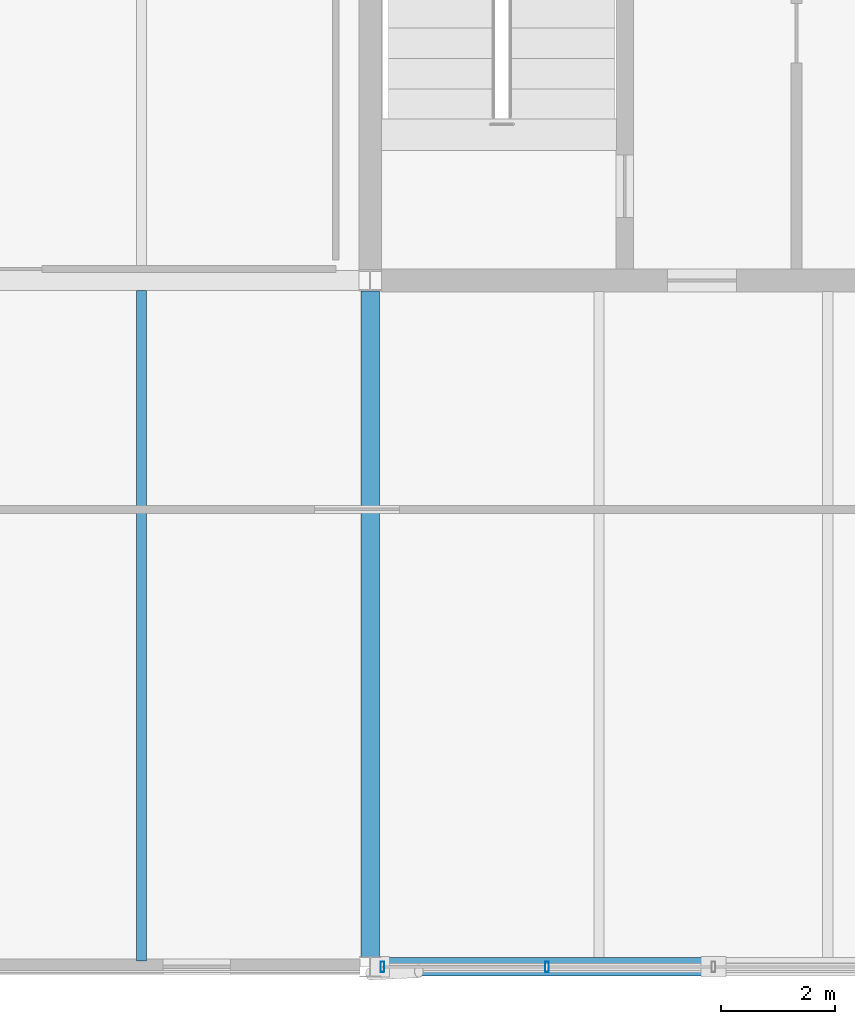
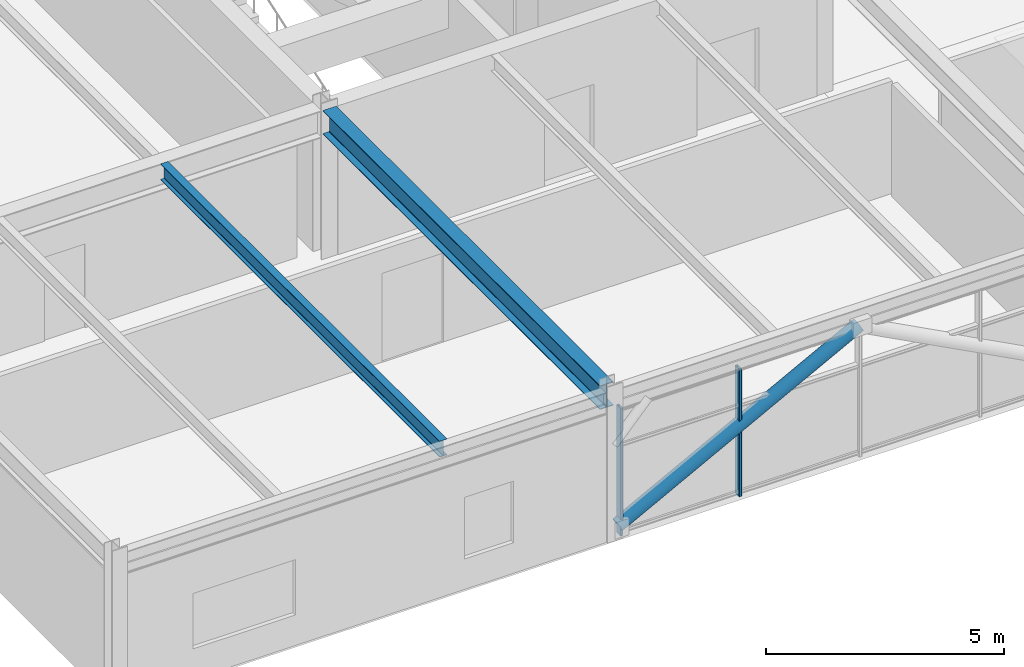
# One storey, part 5 of 40: 3 members, 2 beams, 1 element without a shape of its own.
"""IFC4 building model written with IfcOpenShell, lengths in metres."""

from ifc_helpers import new_model, si_unit, direction, frame, origin, origin_2d, place, context, subcontext, project, spatial, hollow_rectangle, hollow_circle, i_section, extrude, material, material_profile, profile_set, type_object, element, aggregate, save


model = new_model("IFC4")

# Units and contexts
model_context = context("Model", 3, precision=1e-05, world=origin(), true_north=direction((0.0, 1.0)))
body_context = subcontext(model_context, "Body", "Model", "MODEL_VIEW")
ifc_project = project(units=[si_unit("LENGTHUNIT", "METRE"), si_unit("AREAUNIT", "SQUARE_METRE"), si_unit("VOLUMEUNIT", "CUBIC_METRE"), si_unit("PLANEANGLEUNIT", "RADIAN"), si_unit("MASSUNIT", "GRAM", prefix="KILO")], contexts=[model_context])

# Site, building, storey
site_placement = place(None, origin())
site = spatial("IfcSite", under=ifc_project, at=site_placement, CompositionType="ELEMENT")
building_placement = place(site_placement, origin())
building = spatial("IfcBuilding", under=site, at=building_placement, Name="Girod Span Mobility Hub", CompositionType="ELEMENT")
storey_placement = place(building_placement, frame((0.0, 0.0, 53.60009765625)))
storey = spatial("IfcBuildingStorey", under=building, at=storey_placement, Name="L13", CompositionType="ELEMENT", Elevation=53.60009765625)

# Beams
ifc_material_1 = material(Name="Steel A992 Grade 50", Category="steel")
ifc_material_profile_1 = material_profile(ifc_material_1, i_section(OverallWidth=0.178955078125, OverallDepth=0.409912109375, WebThickness=0.0087890625, FlangeThickness=0.014404296875, FilletRadius=0.012939453125, at=origin_2d()), Name="W16X45")
ifc_profile_set_1 = profile_set([ifc_material_profile_1], Name="Steel A992 Grade 50")
beam_type_1 = type_object("IfcBeamType", Name="BM-STL-W16X45", PredefinedType="BEAM", material=ifc_profile_set_1)
beam_1_placement = place(storey_placement, frame((44.0, 45.10302734375, 3.60986328125), z_axis=(0.0, 1.0, 0.0), x_axis=(-1.0, 0.0, 0.0)))
element("IfcBeam", 1, at=beam_1_placement, inside=storey, type_object=beam_type_1, Name="Composite Floorbeam 4/D-2 L13", PredefinedType="BEAM", context=body_context, shape_type="SweptSolid", body=[
    extrude(i_section(OverallWidth=0.178955078125, OverallDepth=0.409912109375, WebThickness=0.0087890625, FlangeThickness=0.014404296875, FilletRadius=0.012939453125, at=origin_2d()), origin(), (0.0, 0.0, 1.0), 11.722412109375),
])
ifc_material_2 = material(Name="Steel A992 Grade 50", Category="steel")
ifc_material_profile_2 = material_profile(ifc_material_2, i_section(OverallWidth=0.323974609375, OverallDepth=0.611083984375, WebThickness=0.0126953125, FlangeThickness=0.01904296875, FilletRadius=0.014892578125, at=origin_2d()), Name="W24X104")
ifc_profile_set_2 = profile_set([ifc_material_profile_2], Name="Steel A992 Grade 50")
beam_type_2 = type_object("IfcBeamType", Name="BM-STL-W24X104", PredefinedType="BEAM", material=ifc_profile_set_2)
beam_2_placement = place(storey_placement, frame((48.0, 45.175048828125, 3.509521484375), z_axis=(0.0, 1.0, 0.0), x_axis=(-1.0, 0.0, 0.0)))
element("IfcBeam", 2, at=beam_2_placement, inside=storey, type_object=beam_type_2, Name="Tie Girder 5/D-E L13", PredefinedType="BEAM", context=body_context, shape_type="SweptSolid", body=[
    extrude(i_section(OverallWidth=0.323974609375, OverallDepth=0.611083984375, WebThickness=0.0126953125, FlangeThickness=0.01904296875, FilletRadius=0.014892578125, at=origin_2d()), origin(), (0.0, 0.0, 1.0), 11.640380859375),
])

# Curtain wall, members
ifc_material_3 = material(Name="Thermally Broken Anodised Aluminium", Category="aluminium")
curtain_wall_type = type_object("IfcCurtainWallType", Name="CW-1164X327", PredefinedType="USERDEFINED", material=ifc_material_3)
curtain_wall_placement = place(storey_placement, origin())
curtain_wall = element("IfcCurtainWall", 3, at=curtain_wall_placement, inside=storey, type_object=curtain_wall_type, Name="Unitised Curtain Wall CW-L13-S05 L13", ObjectType="UNITISED CURTAIN WALL", PredefinedType="USERDEFINED")
ifc_material_4 = material(Name="Thermally Broken Anodised Aluminium", Category="aluminium")
ifc_material_profile_3 = material_profile(ifc_material_4, hollow_rectangle(XDim=0.179931640625, YDim=0.06494140625, WallThickness=0.00390625, InnerFilletRadius=0.00390625, OuterFilletRadius=0.008056640625, at=origin_2d()), Name="CW-ML-65X180")
ifc_profile_set_3 = profile_set([ifc_material_profile_3], Name="Thermally Broken Anodised Aluminium")
member_type_1 = type_object("IfcMemberType", Name="CWM-ML-2", PredefinedType="MULLION", material=ifc_profile_set_3)
member_1_placement = place(storey_placement, frame((48.214599609375, 45.0, 0.0), z_axis=(0.0, 0.0, 1.0), x_axis=(0.0, 1.0, 0.0)))
member_1 = element("IfcMember", 4, at=member_1_placement, type_object=member_type_1, Name="Curtain Wall Mullion CW-L13-S05-M0", PredefinedType="MULLION", context=body_context, shape_type="SweptSolid", body=[
    extrude(hollow_rectangle(XDim=0.179931640625, YDim=0.06494140625, WallThickness=0.00390625, InnerFilletRadius=0.00390625, OuterFilletRadius=0.008056640625, at=origin_2d()), origin(), (0.0, 0.0, 1.0), 3.27099609375),
])
member_2_placement = place(storey_placement, frame((51.09130859375, 45.0, 0.0), z_axis=(0.0, 0.0, 1.0), x_axis=(0.0, 1.0, 0.0)))
member_2 = element("IfcMember", 5, at=member_2_placement, type_object=member_type_1, Name="Curtain Wall Mullion CW-L13-S05-M1", PredefinedType="MULLION", context=body_context, shape_type="SweptSolid", body=[
    extrude(hollow_rectangle(XDim=0.179931640625, YDim=0.06494140625, WallThickness=0.00390625, InnerFilletRadius=0.00390625, OuterFilletRadius=0.008056640625, at=origin_2d()), origin(), (0.0, 0.0, 1.0), 3.27099609375),
])
aggregate(curtain_wall, [member_1, member_2])

# Member
ifc_material_5 = material(Name="Steel HSS A500 Grade C", Category="steel")
ifc_material_profile_4 = material_profile(ifc_material_5, hollow_circle(Radius=0.162109375, WallThickness=0.01171875, at=origin_2d()), Name="HSS324X12.7")
ifc_profile_set_4 = profile_set([ifc_material_profile_4], Name="Steel HSS A500 Grade C")
member_type_2 = type_object("IfcMemberType", Name="MB-BR-HSS324", PredefinedType="BRACE", material=ifc_profile_set_4)
member_3_placement = place(storey_placement, frame((48.16455078125, 45.0, 0.25), z_axis=(0.884322806582, 0.0, 0.466875972565), x_axis=(0.0, 1.0, 0.0)))
element("IfcMember", 6, at=member_3_placement, inside=storey, type_object=member_type_2, Name="Upper Diagrid Brace 5/D-L L13", PredefinedType="BRACE", context=body_context, shape_type="SweptSolid", body=[
    extrude(hollow_circle(Radius=0.162109375, WallThickness=0.01171875, at=origin_2d()), origin(), (0.0, 0.0, 1.0), 6.598876953125),
])

save(model, "model.ifc")
